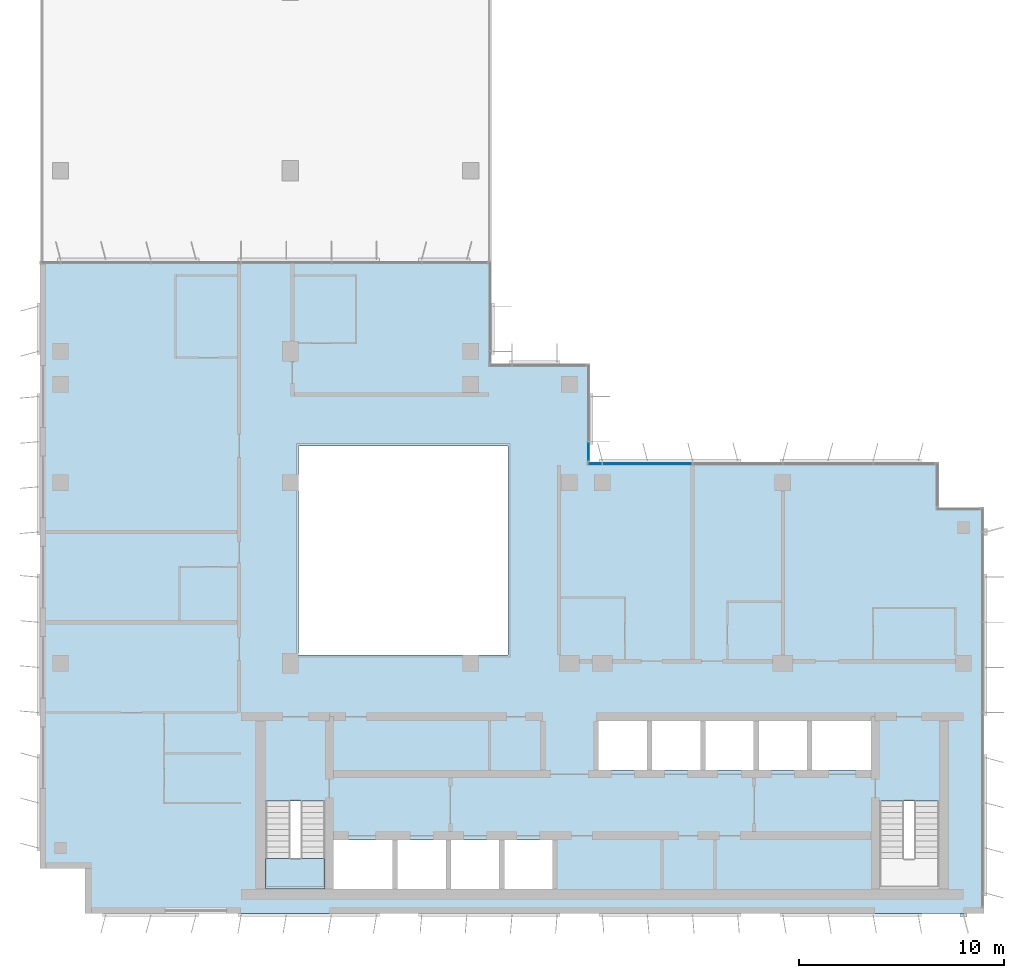
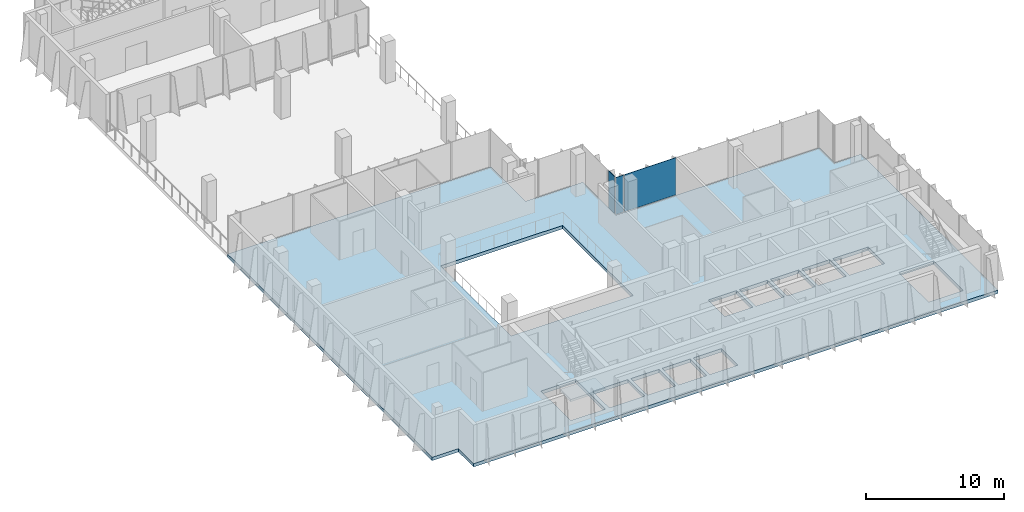
# One storey, part 6 of 15: 3 plates, 2 slabs, 3 elements without a shape of their own.
"""IFC4 building model written with IfcOpenShell, lengths in metres."""

from ifc_helpers import new_model, si_unit, direction, frame, origin, origin_2d, place, context, subcontext, project, spatial, polyline, rectangle, outline, extrude, source, transform, mapped, material, layer, layer_set, type_object, element, aggregate, save


model = new_model("IFC4")

# Units and contexts
model_context = context("Model", 3, precision=1e-05, world=origin(), true_north=direction((0.0, 1.0)))
body_context = subcontext(model_context, "Body", "Model", "MODEL_VIEW")
ifc_project = project(units=[si_unit("LENGTHUNIT", "METRE"), si_unit("AREAUNIT", "SQUARE_METRE"), si_unit("VOLUMEUNIT", "CUBIC_METRE"), si_unit("PLANEANGLEUNIT", "RADIAN"), si_unit("MASSUNIT", "GRAM", prefix="KILO")], contexts=[model_context])

# Site, building, storey
site_placement = place(None, origin())
site = spatial("IfcSite", under=ifc_project, at=site_placement, CompositionType="ELEMENT")
building_placement = place(site_placement, origin())
building = spatial("IfcBuilding", under=site, at=building_placement, Name="Kemantara Hotel Tower", CompositionType="ELEMENT")
storey_placement = place(building_placement, frame((0.0, 0.0, 241.300048828125)))
storey = spatial("IfcBuildingStorey", under=building, at=storey_placement, Name="L60", CompositionType="ELEMENT", Elevation=241.300048828125)

# Slab
ifc_material_1 = material(Name="Concrete fc 40 MPa", Category="concrete")
ifc_layer_1 = layer(ifc_material_1, 0.300048828125)
ifc_layer_set_1 = layer_set([ifc_layer_1], Name="Concrete fc 40 MPa")
slab_type_1 = type_object("IfcSlabType", Name="POST-TENSIONED FLAT PLATE 300", PredefinedType="FLOOR", material=ifc_layer_set_1)
slab_1_placement = place(storey_placement, frame((0.0, 0.0, -0.300048828125)))
element("IfcSlab", 1, at=slab_1_placement, inside=storey, type_object=slab_type_1, Name="FLOOR SLAB L60", PredefinedType="FLOOR", context=body_context, shape_type="SweptSolid", body=[
    extrude(outline(polyline([(26.800048828125, 22.0), (26.800048828125, 26.800048828125), (22.0, 26.800048828125), (22.0, 31.800048828125), (0.0, 31.800048828125), (0.0, 2.199951171875), (2.199951171875, 2.199951171875), (2.199951171875, 0.0), (46.0, 0.0), (46.0, 19.800048828125), (43.800048828125, 19.800048828125), (43.800048828125, 22.0), (26.800048828125, 22.0)]), holes=[polyline([(17.175048828125, 3.60009765625), (17.175048828125, 1.199951171875), (14.22509765625, 1.199951171875), (14.22509765625, 3.60009765625), (17.175048828125, 3.60009765625)]), polyline([(19.77490234375, 1.199951171875), (17.425048828125, 1.199951171875), (17.425048828125, 3.60009765625), (19.77490234375, 3.60009765625), (19.77490234375, 1.199951171875)]), polyline([(22.375, 1.199951171875), (20.02490234375, 1.199951171875), (20.02490234375, 3.60009765625), (22.375, 3.60009765625), (22.375, 1.199951171875)]), polyline([(24.97509765625, 3.60009765625), (24.97509765625, 1.199951171875), (22.625, 1.199951171875), (22.625, 3.60009765625), (24.97509765625, 3.60009765625)]), polyline([(11.0, 1.199951171875), (11.0, 5.49951171875), (13.89990234375, 5.49951171875), (13.89990234375, 1.199951171875), (11.0, 1.199951171875)]), polyline([(22.800048828125, 12.60009765625), (12.60009765625, 12.60009765625), (12.60009765625, 22.800048828125), (22.800048828125, 22.800048828125), (22.800048828125, 12.60009765625)]), polyline([(40.89990234375, 1.199951171875), (40.89990234375, 5.49951171875), (43.800048828125, 5.49951171875), (43.800048828125, 1.199951171875), (40.89990234375, 1.199951171875)]), polyline([(29.574951171875, 7.0), (27.22509765625, 7.0), (27.22509765625, 9.39990234375), (29.574951171875, 9.39990234375), (29.574951171875, 7.0)]), polyline([(32.175048828125, 7.0), (29.824951171875, 7.0), (29.824951171875, 9.39990234375), (32.175048828125, 9.39990234375), (32.175048828125, 7.0)]), polyline([(34.77490234375, 7.0), (32.425048828125, 7.0), (32.425048828125, 9.39990234375), (34.77490234375, 9.39990234375), (34.77490234375, 7.0)]), polyline([(37.375, 7.0), (35.02490234375, 7.0), (35.02490234375, 9.39990234375), (37.375, 9.39990234375), (37.375, 7.0)]), polyline([(40.574951171875, 7.0), (37.625, 7.0), (37.625, 9.39990234375), (40.574951171875, 9.39990234375), (40.574951171875, 7.0)])]), origin(), (0.0, 0.0, 1.0), 0.300048828125),
])

# Stair, slab
stair_type = type_object("IfcStairType", Name="Stair 1200 wide 22 risers of 168 x 280 mm", PredefinedType="HALF_TURN_STAIR", material=ifc_material_1)
stair_placement = place(storey_placement, origin())
stair = element("IfcStair", 2, at=stair_placement, inside=storey, type_object=stair_type, Name="L60 Exit stair ST1", PredefinedType="HALF_TURN_STAIR")
ifc_layer_2 = layer(ifc_material_1, 0.199951171875)
ifc_layer_set_2 = layer_set([ifc_layer_2], Name="Concrete fc 40 MPa")
slab_type_2 = type_object("IfcSlabType", Name="Stair landing 200 mm", PredefinedType="LANDING", material=ifc_layer_set_2)
slab_2_placement = place(storey_placement, frame((0.0, 0.0, 1.64990234375)))
slab_2 = element("IfcSlab", 3, at=slab_2_placement, type_object=slab_type_2, Name="ST1 landing 1", PredefinedType="LANDING", context=body_context, shape_type="SweptSolid", body=[
    extrude(outline(polyline([(11.0, 2.699951171875), (11.0, 1.199951171875), (13.89990234375, 1.199951171875), (13.89990234375, 2.699951171875), (11.0, 2.699951171875)])), origin(), (0.0, 0.0, 1.0), 0.199951171875),
])
aggregate(stair, [slab_2])

# Curtain wall, plates
ifc_material_2 = material(Name="Low-E tinted double insulated glass 36 mm", Category="glass")
curtain_wall_type = type_object("IfcCurtainWallType", Name="TOWER CURTAIN WALL, FRONT FACES", PredefinedType="USERDEFINED", material=ifc_material_2)
curtain_wall_1_placement = place(storey_placement, origin())
curtain_wall_1 = element("IfcCurtainWall", 4, at=curtain_wall_1_placement, inside=storey, type_object=curtain_wall_type, Name="CW4 L60 T4P-R09-1", ObjectType="TOWER CURTAIN WALL, FRONT FACES", PredefinedType="USERDEFINED")
ifc_layer_3 = layer(ifc_material_2, 0.035888671875)
ifc_layer_set_3 = layer_set([ifc_layer_3], Name="Low-E tinted double insulated glass 36 mm")
plate_type = type_object("IfcPlateType", Name="TOWER CURTAIN WALL, FRONT FACES PANEL", PredefinedType="CURTAIN_PANEL", material=ifc_layer_set_3)
shared_shape_1 = source(origin(), body_context, "Body", "SweptSolid", [
    extrude(rectangle(XDim=4.340087890625, YDim=0.035888671875, at=origin_2d()), origin(), (0.0, 0.0, 1.0), 3.280029296875),
])
plate_1_placement = place(storey_placement, frame((29.60009765625, 21.925048828125, 0.1201171875), z_axis=(0.0, 0.0, 1.0), x_axis=(-1.0, 0.0, 0.0)))
plate_1 = element("IfcPlate", 5, at=plate_1_placement, type_object=plate_type, Name="CW4 glass panel T4P-R09-1.4", PredefinedType="CURTAIN_PANEL", context=body_context, shape_type="MappedRepresentation", body=[
    mapped(shared_shape_1, transform((0.0, 0.0, 0.0))),
])
shared_shape_2 = source(origin(), body_context, "Body", "SweptSolid", [
    extrude(rectangle(XDim=0.659912109375, YDim=0.035888671875, at=origin_2d()), origin(), (0.0, 0.0, 1.0), 3.280029296875),
])
plate_2_placement = place(storey_placement, frame((27.0400390625, 21.925048828125, 0.1201171875), z_axis=(0.0, 0.0, 1.0), x_axis=(-1.0, 0.0, 0.0)))
plate_2 = element("IfcPlate", 6, at=plate_2_placement, type_object=plate_type, Name="CW4 glass panel T4P-R09-1.5", PredefinedType="CURTAIN_PANEL", context=body_context, shape_type="MappedRepresentation", body=[
    mapped(shared_shape_2, transform((0.0, 0.0, 0.0))),
])
aggregate(curtain_wall_1, [plate_1, plate_2])

# Curtain wall, plate
curtain_wall_2_placement = place(storey_placement, origin())
curtain_wall_2 = element("IfcCurtainWall", 7, at=curtain_wall_2_placement, inside=storey, type_object=curtain_wall_type, Name="CW4 L60 T4P-R10-1", ObjectType="TOWER CURTAIN WALL, FRONT FACES", PredefinedType="USERDEFINED")
shared_shape_3 = source(origin(), body_context, "Body", "SweptSolid", [
    extrude(rectangle(XDim=0.909912109375, YDim=0.035888671875, at=origin_2d()), origin(), (0.0, 0.0, 1.0), 3.280029296875),
])
plate_3_placement = place(storey_placement, frame((26.72509765625, 22.514892578125, 0.1201171875), z_axis=(0.0, 0.0, 1.0), x_axis=(0.0, 1.0, 0.0)))
plate_3 = element("IfcPlate", 8, at=plate_3_placement, type_object=plate_type, Name="CW4 glass panel T4P-R10-1.1", PredefinedType="CURTAIN_PANEL", context=body_context, shape_type="MappedRepresentation", body=[
    mapped(shared_shape_3, transform((0.0, 0.0, 0.0))),
])
aggregate(curtain_wall_2, [plate_3])

save(model, "model.ifc")
